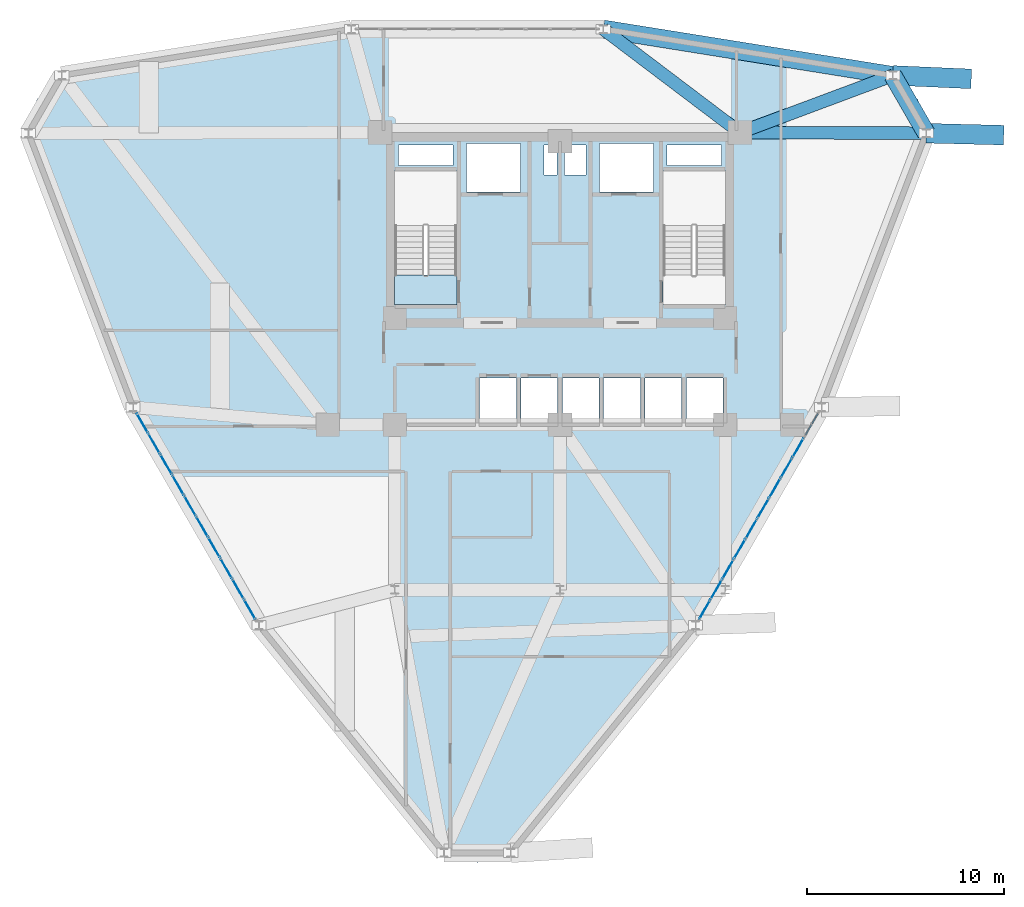
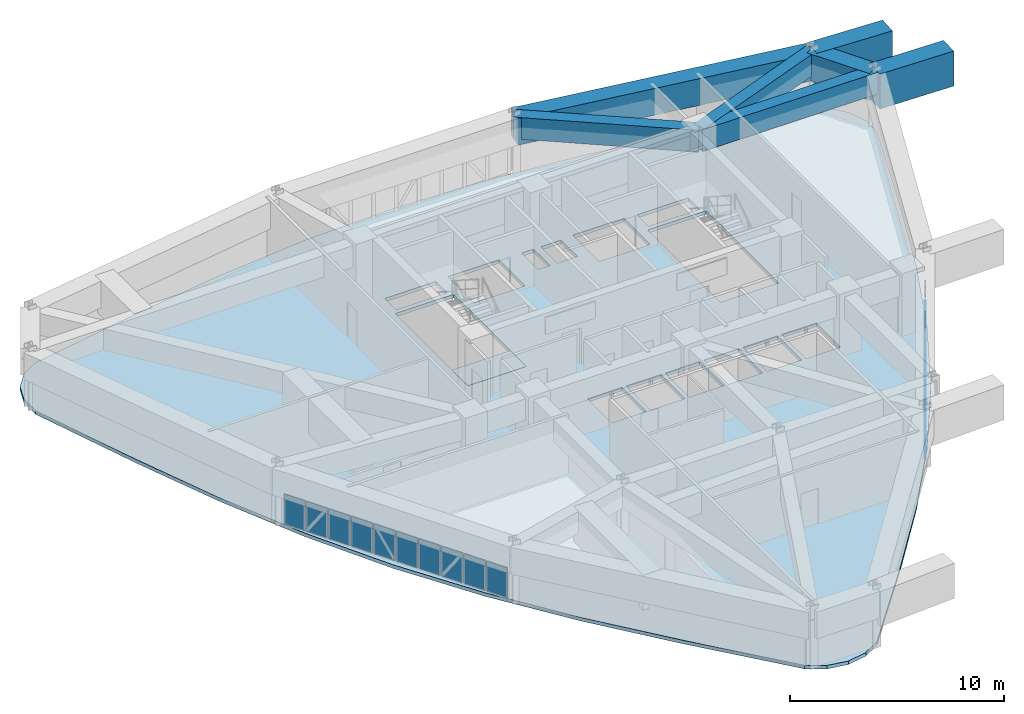
# One storey, part 9 of 15: 19 plates, 7 beams, 4 members, 2 slabs, 3 elements without a shape of their own.
"""IFC4 building model written with IfcOpenShell, lengths in metres."""

from ifc_helpers import new_model, si_unit, derived_unit, direction, frame, origin, origin_2d, place, context, subcontext, project, spatial, polyline, rectangle, hollow_rectangle, outline, extrude, source, transform, mapped, material, layer, layer_set, material_profile, profile_set, type_object, element, aggregate, save


model = new_model("IFC4")

# Units and contexts
model_context = context("Model", 3, precision=1e-05, world=origin(), true_north=direction((0.0, 1.0)))
body_context = subcontext(model_context, "Body", "Model", "MODEL_VIEW")
ifc_project = project(units=[si_unit("LENGTHUNIT", "METRE"), si_unit("AREAUNIT", "SQUARE_METRE"), si_unit("VOLUMEUNIT", "CUBIC_METRE"), si_unit("PLANEANGLEUNIT", "RADIAN"), si_unit("MASSUNIT", "GRAM", prefix="KILO"), derived_unit("THERMALTRANSMITTANCEUNIT", [(si_unit("POWERUNIT", "WATT"), 1), (si_unit("LENGTHUNIT", "METRE"), -2), (si_unit("THERMODYNAMICTEMPERATUREUNIT", "KELVIN"), -1)])], contexts=[model_context])

# Site, building, storey
site_placement = place(None, origin())
site = spatial("IfcSite", under=ifc_project, at=site_placement, CompositionType="ELEMENT")
building_placement = place(site_placement, origin())
building = spatial("IfcBuilding", under=site, at=building_placement, Name="Korsvarv Bourse and Concert Hall", CompositionType="ELEMENT")
storey_placement = place(building_placement, frame((0.0, 0.0, 165.0)))
storey = spatial("IfcBuildingStorey", under=building, at=storey_placement, Name="L42", CompositionType="ELEMENT", Elevation=165.0)

# Beams
ifc_material_1 = material(Name="Concrete C50/60", Category="concrete")
ifc_material_profile_1 = material_profile(ifc_material_1, rectangle(XDim=0.919921875, YDim=1.530029296875, at=origin_2d()), Name="RC-BM 920x1530")
ifc_profile_set_1 = profile_set([ifc_material_profile_1], Name="Concrete C50/60")
beam_type_1 = type_object("IfcBeamType", Name="BM-TR-154", PredefinedType="BEAM", material=ifc_profile_set_1)
shared_shape_1 = source(origin(), body_context, "Body", "SweptSolid", [
    extrude(rectangle(XDim=0.919921875, YDim=1.530029296875, at=origin_2d()), origin(), (0.0, 0.0, 1.0), 3.391357421875),
])
beam_1_placement = place(storey_placement, frame((54.6142578125, 47.2138671875, 2.60498046875), z_axis=(-0.499971721724, 0.866041729639, 0.0), x_axis=(-0.866041729639, -0.499971721724, 0.0)))
element("IfcBeam", 1, at=beam_1_placement, inside=storey, type_object=beam_type_1, Name="L42 beam B-TR6", PredefinedType="BEAM", context=body_context, shape_type="MappedRepresentation", body=[
    mapped(shared_shape_1, transform((0.0, 0.0, 0.0), scale=1.0)),
])
shared_shape_2 = source(origin(), body_context, "Body", "SweptSolid", [
    extrude(rectangle(XDim=0.919921875, YDim=1.530029296875, at=origin_2d()), origin(), (0.0, 0.0, 1.0), 14.90478515625),
])
beam_2_placement = place(storey_placement, frame((52.918701171875, 50.15087890625, 2.60498046875), z_axis=(-0.987420487458, 0.158116352567, 0.0), x_axis=(-0.158116352567, -0.987420487458, 0.0)))
element("IfcBeam", 2, at=beam_2_placement, inside=storey, type_object=beam_type_1, Name="L42 beam B-TR6", PredefinedType="BEAM", context=body_context, shape_type="MappedRepresentation", body=[
    mapped(shared_shape_2, transform((0.0, 0.0, 0.0), scale=1.0)),
])
ifc_material_profile_2 = material_profile(ifc_material_1, rectangle(XDim=0.64990234375, YDim=1.239990234375, at=origin_2d()), Name="RC-BM 650x1240")
ifc_profile_set_2 = profile_set([ifc_material_profile_2], Name="Concrete C50/60")
beam_type_2 = type_object("IfcBeamType", Name="BM-TR-SPN", PredefinedType="BEAM", material=ifc_profile_set_2)
shared_shape_3 = source(origin(), body_context, "Body", "SweptSolid", [
    extrude(rectangle(XDim=0.64990234375, YDim=1.239990234375, at=origin_2d()), origin(), (0.0, 0.0, 1.0), 9.46435546875),
])
beam_3_placement = place(storey_placement, frame((54.6142578125, 47.2138671875, 2.75), z_axis=(-0.999992712363, 0.003817750643, 0.0), x_axis=(-0.003817750643, -0.999992712363, 0.0)))
element("IfcBeam", 3, at=beam_3_placement, inside=storey, type_object=beam_type_2, Name="L42 beam B-TRS", PredefinedType="BEAM", context=body_context, shape_type="MappedRepresentation", body=[
    mapped(shared_shape_3, transform((0.0, 0.0, 0.0), scale=1.0)),
])
shared_shape_4 = source(origin(), body_context, "Body", "SweptSolid", [
    extrude(rectangle(XDim=0.64990234375, YDim=1.239990234375, at=origin_2d()), origin(), (0.0, 0.0, 1.0), 8.292724609375),
])
beam_4_placement = place(storey_placement, frame((52.918701171875, 50.15087890625, 2.75), z_axis=(-0.936820676534, -0.349809977014, 0.0), x_axis=(0.349809977014, -0.936820676534, 0.0)))
element("IfcBeam", 4, at=beam_4_placement, inside=storey, type_object=beam_type_2, Name="L42 beam B-TRS", PredefinedType="BEAM", context=body_context, shape_type="MappedRepresentation", body=[
    mapped(shared_shape_4, transform((0.0, 0.0, 0.0), scale=1.0)),
])
ifc_material_2 = material(Name="Concrete C60/75", Category="concrete")
ifc_material_profile_3 = material_profile(ifc_material_2, rectangle(XDim=1.0, YDim=2.0, at=origin_2d()), Name="RC-BM 1000x2000")
ifc_profile_set_3 = profile_set([ifc_material_profile_3], Name="Concrete C60/75")
beam_type_3 = type_object("IfcBeamType", Name="BM-TR1", PredefinedType="BEAM", material=ifc_profile_set_3)
shared_shape_5 = source(origin(), body_context, "Body", "SweptSolid", [
    extrude(rectangle(XDim=1.0, YDim=2.0, at=origin_2d()), origin(), (0.0, 0.0, 1.0), 3.94091796875),
])
beam_5_placement = place(storey_placement, frame((54.6142578125, 47.2138671875, 2.3701171875), z_axis=(0.999682088612, -0.025213522344, 0.0), x_axis=(0.025213522344, 0.999682088612, 0.0)))
element("IfcBeam", 5, at=beam_5_placement, inside=storey, type_object=beam_type_3, Name="L42 Block-Shift Transfer Girder 1", PredefinedType="BEAM", context=body_context, shape_type="MappedRepresentation", body=[
    mapped(shared_shape_5, transform((0.0, 0.0, 0.0), scale=1.0)),
])
shared_shape_6 = source(origin(), body_context, "Body", "SweptSolid", [
    extrude(rectangle(XDim=0.64990234375, YDim=1.239990234375, at=origin_2d()), origin(), (0.0, 0.0, 1.0), 8.71337890625),
])
beam_6_placement = place(storey_placement, frame((38.201416015625, 52.507568359375, 2.75), z_axis=(0.797447559771, -0.603388257604, 0.0), x_axis=(0.603388257604, 0.797447559771, 0.0)))
element("IfcBeam", 6, at=beam_6_placement, inside=storey, type_object=beam_type_2, Name="L42 beam B-TRS", PredefinedType="BEAM", context=body_context, shape_type="MappedRepresentation", body=[
    mapped(shared_shape_6, transform((0.0, 0.0, 0.0), scale=1.0)),
])
shared_shape_7 = source(origin(), body_context, "Body", "SweptSolid", [
    extrude(rectangle(XDim=1.0, YDim=2.0, at=origin_2d()), origin(), (0.0, 0.0, 1.0), 3.987548828125),
])
beam_7_placement = place(storey_placement, frame((52.918701171875, 50.15087890625, 2.3701171875), z_axis=(0.999027878093, -0.044082862795, 0.0), x_axis=(0.044082862795, 0.999027878093, 0.0)))
element("IfcBeam", 7, at=beam_7_placement, inside=storey, type_object=beam_type_3, Name="L42 Block-Shift Transfer Girder 2", PredefinedType="BEAM", context=body_context, shape_type="MappedRepresentation", body=[
    mapped(shared_shape_7, transform((0.0, 0.0, 0.0), scale=1.0)),
])

# Curtain wall, members
ifc_material_3 = material(Name="Anodised aluminium and triple low-E glazing", Category="glass")
ifc_layer_1 = layer(ifc_material_3, 0.2099609375)
ifc_layer_set_1 = layer_set([ifc_layer_1], Name="Anodised aluminium and triple low-E glazing")
curtain_wall_type = type_object("IfcCurtainWallType", Name="CW-SYS-2", PredefinedType="NOTDEFINED", material=ifc_layer_set_1)
curtain_wall_1_placement = place(storey_placement, origin())
curtain_wall_1 = element("IfcCurtainWall", 8, at=curtain_wall_1_placement, inside=storey, type_object=curtain_wall_type, Name="L42 CW2 curtain wall CW-L42-F11-2", PredefinedType="NOTDEFINED")
ifc_material_4 = material(Name="Extruded aluminium EN AW-6063 T66", Category="aluminium")
ifc_material_profile_4 = material_profile(ifc_material_4, hollow_rectangle(XDim=0.06494140625, YDim=0.139892578125, WallThickness=0.00390625, at=origin_2d()), Name="ALU-T 65x140")
ifc_profile_set_4 = profile_set([ifc_material_profile_4], Name="Extruded aluminium EN AW-6063 T66")
member_type = type_object("IfcMemberType", Name="CWT-140", PredefinedType="USERDEFINED", material=ifc_profile_set_4)
shared_shape_8 = source(origin(), body_context, "Body", "SweptSolid", [
    extrude(hollow_rectangle(XDim=0.06494140625, YDim=0.139892578125, WallThickness=0.00390625, at=origin_2d()), origin(), (0.0, 0.0, 1.0), 0.587158203125),
])
member_1_placement = place(storey_placement, frame((48.485107421875, 31.88427734375, 0.032470703125), z_axis=(0.499806444312, 0.866137124377, 0.0), x_axis=(-0.866137124377, 0.499806444312, 0.0)))
member_1 = element("IfcMember", 9, at=member_1_placement, type_object=member_type, Name="CW2 transom 1.1", ObjectType="TRANSOM", PredefinedType="USERDEFINED", context=body_context, shape_type="MappedRepresentation", body=[
    mapped(shared_shape_8, transform((0.0, 0.0, 0.0), scale=1.0)),
])
member_2_placement = place(storey_placement, frame((48.485107421875, 31.88427734375, 1.8076171875), z_axis=(0.499806444312, 0.866137124377, 0.0), x_axis=(-0.866137124377, 0.499806444312, 0.0)))
member_2 = element("IfcMember", 10, at=member_2_placement, type_object=member_type, Name="CW2 transom 1.2", ObjectType="TRANSOM", PredefinedType="USERDEFINED", context=body_context, shape_type="MappedRepresentation", body=[
    mapped(shared_shape_8, transform((0.0, 0.0, 0.0), scale=1.0)),
])
member_3_placement = place(storey_placement, frame((48.813720703125, 32.453369140625, 0.032470703125), z_axis=(0.499806444312, 0.866137124377, 0.0), x_axis=(-0.866137124377, 0.499806444312, 0.0)))
member_3 = element("IfcMember", 11, at=member_3_placement, type_object=member_type, Name="CW2 transom 2.1", ObjectType="TRANSOM", PredefinedType="USERDEFINED", context=body_context, shape_type="MappedRepresentation", body=[
    mapped(shared_shape_8, transform((0.0, 0.0, 0.0), scale=1.0)),
])
member_4_placement = place(storey_placement, frame((48.813720703125, 32.453369140625, 1.8076171875), z_axis=(0.499806444312, 0.866137124377, 0.0), x_axis=(-0.866137124377, 0.499806444312, 0.0)))
member_4 = element("IfcMember", 12, at=member_4_placement, type_object=member_type, Name="CW2 transom 2.2", ObjectType="TRANSOM", PredefinedType="USERDEFINED", context=body_context, shape_type="MappedRepresentation", body=[
    mapped(shared_shape_8, transform((0.0, 0.0, 0.0), scale=1.0)),
])
aggregate(curtain_wall_1, [member_1, member_2, member_3, member_4])

# Slabs
ifc_material_5 = material(Name="Precast concrete C45/55", Category="concrete")
ifc_layer_2 = layer(ifc_material_5, 0.199951171875)
ifc_layer_set_2 = layer_set([ifc_layer_2], Name="Precast concrete C45/55")
slab_type_1 = type_object("IfcSlabType", Name="SLB-FLND-T", PredefinedType="LANDING", material=ifc_layer_set_2)
slab_1_placement = place(storey_placement, frame((0.0, 0.0, -0.199951171875)))
element("IfcSlab", 13, at=slab_1_placement, inside=storey, type_object=slab_type_1, Name="L42 Stair ST-T1 Floor Landing Slab", PredefinedType="LANDING", context=body_context, shape_type="SweptSolid", body=[
    extrude(outline(polyline([(30.760009765625, 38.5), (30.760009765625, 40.0), (27.60009765625, 40.0), (27.60009765625, 38.5), (30.760009765625, 38.5)])), origin(), (0.0, 0.0, 1.0), 0.199951171875),
])
ifc_material_6 = material(Name="Concrete C45/55", Category="concrete")
ifc_layer_3 = layer(ifc_material_6, 0.199951171875)
ifc_layer_set_3 = layer_set([ifc_layer_3], Name="Concrete C45/55")
slab_type_2 = type_object("IfcSlabType", Name="SLB-TW2", PredefinedType="FLOOR", material=ifc_layer_set_3)
slab_2_placement = place(storey_placement, frame((0.0, 0.0, -0.199951171875)))
element("IfcSlab", 14, at=slab_2_placement, inside=storey, type_object=slab_type_2, Name="L42 tower structural floor slab", PredefinedType="FLOOR", context=body_context, shape_type="SweptSolid", body=[
    extrude(outline(polyline([(54.127197265625, 45.72216796875), (52.434326171875, 41.0146484375), (50.63232421875, 36.395263671875), (48.622314453125, 31.916015625), (46.336669921875, 27.607421875), (43.748046875, 23.473388671875), (40.8740234375, 19.4931640625), (37.7744140625, 15.622802734375), (34.544189453125, 11.802978515625), (34.5419921875, 11.80029296875), (33.760986328125, 10.869873046875), (32.843505859375, 10.340087890625), (31.800048828125, 10.156005859375), (30.756591796875, 10.340087890625), (29.839111328125, 10.869873046875), (29.05810546875, 11.80029296875), (29.055908203125, 11.802978515625), (25.82568359375, 15.622802734375), (22.72607421875, 19.4931640625), (19.851806640625, 23.473388671875), (17.263427734375, 27.607421875), (14.977783203125, 31.916015625), (12.967529296875, 36.395263671875), (11.16552734375, 41.0146484375), (9.47265625, 45.72216796875), (9.471435546875, 45.725341796875), (9.05615234375, 46.86669921875), (9.05615234375, 47.92626953125), (9.41845703125, 48.921875), (10.099609375, 49.733642578125), (11.01708984375, 50.263427734375), (12.21337890625, 50.474365234375), (12.216796875, 50.474853515625), (17.139892578125, 51.362548828125), (22.04150390625, 52.11181640625), (26.925537109375, 52.610595703125), (31.800048828125, 52.785400390625), (36.67431640625, 52.610595703125), (41.558349609375, 52.11181640625), (46.4599609375, 51.362548828125), (51.38330078125, 50.474853515625), (51.38671875, 50.474365234375), (52.5830078125, 50.263427734375), (53.50048828125, 49.733642578125), (54.181396484375, 48.921875), (54.5439453125, 47.92626953125), (54.5439453125, 46.86669921875), (54.12841796875, 45.725341796875), (54.127197265625, 45.72216796875)]), holes=[polyline([(30.760009765625, 38.5), (30.760009765625, 45.300048828125), (27.60009765625, 45.300048828125), (27.60009765625, 38.5), (30.760009765625, 38.5)]), polyline([(44.39990234375, 38.5), (44.39990234375, 45.300048828125), (41.239990234375, 45.300048828125), (41.239990234375, 38.5), (44.39990234375, 38.5)]), polyline([(31.239990234375, 44.219970703125), (34.0, 44.219970703125), (34.0, 46.679931640625), (31.239990234375, 46.679931640625), (31.239990234375, 44.219970703125)]), polyline([(38.0, 44.219970703125), (40.760009765625, 44.219970703125), (40.760009765625, 46.679931640625), (38.0, 46.679931640625), (38.0, 44.219970703125)]), polyline([(31.919921875, 32.52001953125), (33.780029296875, 32.52001953125), (33.780029296875, 34.780029296875), (31.919921875, 34.780029296875), (31.919921875, 32.52001953125)]), polyline([(34.02001953125, 32.52001953125), (35.8798828125, 32.52001953125), (35.8798828125, 34.780029296875), (34.02001953125, 34.780029296875), (34.02001953125, 32.52001953125)]), polyline([(36.1201171875, 32.52001953125), (37.97998046875, 32.52001953125), (37.97998046875, 34.780029296875), (36.1201171875, 34.780029296875), (36.1201171875, 32.52001953125)]), polyline([(38.219970703125, 32.52001953125), (40.080078125, 32.52001953125), (40.080078125, 34.780029296875), (38.219970703125, 34.780029296875), (38.219970703125, 32.52001953125)]), polyline([(40.320068359375, 32.52001953125), (42.179931640625, 32.52001953125), (42.179931640625, 34.780029296875), (40.320068359375, 34.780029296875), (40.320068359375, 32.52001953125)]), polyline([(42.419921875, 32.52001953125), (44.280029296875, 32.52001953125), (44.280029296875, 34.780029296875), (42.419921875, 34.780029296875), (42.419921875, 32.52001953125)]), polyline([(27.800048828125, 45.56005859375), (30.56005859375, 45.56005859375), (30.56005859375, 46.6201171875), (27.800048828125, 46.6201171875), (27.800048828125, 45.56005859375)]), polyline([(41.43994140625, 45.56005859375), (44.199951171875, 45.56005859375), (44.199951171875, 46.6201171875), (41.43994140625, 46.6201171875), (41.43994140625, 45.56005859375)]), polyline([(35.199951171875, 45.080078125), (35.840087890625, 45.080078125), (35.840087890625, 46.6201171875), (35.199951171875, 46.6201171875), (35.199951171875, 45.080078125)]), polyline([(36.239990234375, 45.080078125), (37.320068359375, 45.080078125), (37.320068359375, 46.6201171875), (36.239990234375, 46.6201171875), (36.239990234375, 45.080078125)])]), origin(), (0.0, 0.0, 1.0), 0.199951171875),
])

# Curtain wall, plates
curtain_wall_2_placement = place(storey_placement, origin())
curtain_wall_2 = element("IfcCurtainWall", 15, at=curtain_wall_2_placement, inside=storey, type_object=curtain_wall_type, Name="L42 CW2 curtain wall CW-L42-F07", PredefinedType="NOTDEFINED")
ifc_material_7 = material(Name="Tempered triple insulated low-E architectural glass", Category="glass")
ifc_layer_4 = layer(ifc_material_7, 0.0380859375)
ifc_layer_set_4 = layer_set([ifc_layer_4], Name="Tempered triple insulated low-E architectural glass")
plate_type_1 = type_object("IfcPlateType", Name="CWP-VIS2", PredefinedType="CURTAIN_PANEL", material=ifc_layer_set_4)
shared_shape_9 = source(origin(), body_context, "Body", "SweptSolid", [
    extrude(rectangle(XDim=1.113525390625, YDim=0.0380859375, at=origin_2d()), origin(), (0.0, 0.0, 1.0), 1.7099609375),
])
plate_1_placement = place(storey_placement, frame((14.77099609375, 32.479736328125, 0.06494140625), z_axis=(0.0, 0.0, 1.0), x_axis=(0.500002343759, -0.86602405061, 0.0)))
plate_1 = element("IfcPlate", 16, at=plate_1_placement, type_object=plate_type_1, Name="CW2 faceted panel 1.1", PredefinedType="CURTAIN_PANEL", context=body_context, shape_type="MappedRepresentation", body=[
    mapped(shared_shape_9, transform((0.0, 0.0, 0.0), scale=1.0)),
])
plate_2_placement = place(storey_placement, frame((20.237060546875, 23.0126953125, 0.06494140625), z_axis=(0.0, 0.0, 1.0), x_axis=(0.500002343759, -0.86602405061, 0.0)))
plate_2 = element("IfcPlate", 17, at=plate_2_placement, type_object=plate_type_1, Name="CW2 faceted panel 10.1", PredefinedType="CURTAIN_PANEL", context=body_context, shape_type="MappedRepresentation", body=[
    mapped(shared_shape_9, transform((0.0, 0.0, 0.0), scale=1.0)),
])
ifc_material_8 = material(Name="Insulated spandrel glass", Category="glass")
ifc_layer_5 = layer(ifc_material_8, 0.031982421875)
ifc_layer_set_5 = layer_set([ifc_layer_5], Name="Insulated spandrel glass")
plate_type_2 = type_object("IfcPlateType", Name="CWP-SPD1", PredefinedType="CURTAIN_PANEL", material=ifc_layer_set_5)
shared_shape_10 = source(origin(), body_context, "Body", "SweptSolid", [
    extrude(rectangle(XDim=1.1484375, YDim=0.031982421875, at=origin_2d()), origin(), (0.0, 0.0, 1.0), 1.7099609375),
])
plate_3_placement = place(storey_placement, frame((15.37158203125, 31.439697265625, 0.06494140625), z_axis=(0.0, 0.0, 1.0), x_axis=(0.500002343759, -0.86602405061, 0.0)))
plate_3 = element("IfcPlate", 18, at=plate_3_placement, type_object=plate_type_2, Name="CW2 spandrel shadow-box panel 2.1", PredefinedType="CURTAIN_PANEL", context=body_context, shape_type="MappedRepresentation", body=[
    mapped(shared_shape_10, transform((0.0, 0.0, 0.0), scale=1.0)),
])
plate_4_placement = place(storey_placement, frame((17.199462890625, 28.27392578125, 0.06494140625), z_axis=(0.0, 0.0, 1.0), x_axis=(0.500002343759, -0.86602405061, 0.0)))
plate_4 = element("IfcPlate", 19, at=plate_4_placement, type_object=plate_type_2, Name="CW2 spandrel shadow-box panel 5.1", PredefinedType="CURTAIN_PANEL", context=body_context, shape_type="MappedRepresentation", body=[
    mapped(shared_shape_10, transform((0.0, 0.0, 0.0), scale=1.0)),
])
plate_5_placement = place(storey_placement, frame((19.02734375, 25.10791015625, 0.06494140625), z_axis=(0.0, 0.0, 1.0), x_axis=(0.500002343759, -0.86602405061, 0.0)))
plate_5 = element("IfcPlate", 20, at=plate_5_placement, type_object=plate_type_2, Name="CW2 spandrel shadow-box panel 8.1", PredefinedType="CURTAIN_PANEL", context=body_context, shape_type="MappedRepresentation", body=[
    mapped(shared_shape_10, transform((0.0, 0.0, 0.0), scale=1.0)),
])
shared_shape_11 = source(origin(), body_context, "Body", "SweptSolid", [
    extrude(rectangle(XDim=1.1484375, YDim=0.0380859375, at=origin_2d()), origin(), (0.0, 0.0, 1.0), 1.7099609375),
])
plate_6_placement = place(storey_placement, frame((15.98095703125, 30.384521484375, 0.06494140625), z_axis=(0.0, 0.0, 1.0), x_axis=(0.500002343759, -0.86602405061, 0.0)))
plate_6 = element("IfcPlate", 21, at=plate_6_placement, type_object=plate_type_1, Name="CW2 faceted panel 3.1", PredefinedType="CURTAIN_PANEL", context=body_context, shape_type="MappedRepresentation", body=[
    mapped(shared_shape_11, transform((0.0, 0.0, 0.0), scale=1.0)),
])
plate_7_placement = place(storey_placement, frame((16.590087890625, 29.3291015625, 0.06494140625), z_axis=(0.0, 0.0, 1.0), x_axis=(0.500002343759, -0.86602405061, 0.0)))
plate_7 = element("IfcPlate", 22, at=plate_7_placement, type_object=plate_type_1, Name="CW2 faceted panel 4.1", PredefinedType="CURTAIN_PANEL", context=body_context, shape_type="MappedRepresentation", body=[
    mapped(shared_shape_11, transform((0.0, 0.0, 0.0), scale=1.0)),
])
plate_8_placement = place(storey_placement, frame((17.80859375, 27.218505859375, 0.06494140625), z_axis=(0.0, 0.0, 1.0), x_axis=(0.500002343759, -0.86602405061, 0.0)))
plate_8 = element("IfcPlate", 23, at=plate_8_placement, type_object=plate_type_1, Name="CW2 faceted panel 6.1", PredefinedType="CURTAIN_PANEL", context=body_context, shape_type="MappedRepresentation", body=[
    mapped(shared_shape_11, transform((0.0, 0.0, 0.0), scale=1.0)),
])
plate_9_placement = place(storey_placement, frame((18.41796875, 26.163330078125, 0.06494140625), z_axis=(0.0, 0.0, 1.0), x_axis=(0.500002343759, -0.86602405061, 0.0)))
plate_9 = element("IfcPlate", 24, at=plate_9_placement, type_object=plate_type_1, Name="CW2 faceted panel 7.1", PredefinedType="CURTAIN_PANEL", context=body_context, shape_type="MappedRepresentation", body=[
    mapped(shared_shape_11, transform((0.0, 0.0, 0.0), scale=1.0)),
])
plate_10_placement = place(storey_placement, frame((19.636474609375, 24.052734375, 0.06494140625), z_axis=(0.0, 0.0, 1.0), x_axis=(0.500002343759, -0.86602405061, 0.0)))
plate_10 = element("IfcPlate", 25, at=plate_10_placement, type_object=plate_type_1, Name="CW2 faceted panel 9.1", PredefinedType="CURTAIN_PANEL", context=body_context, shape_type="MappedRepresentation", body=[
    mapped(shared_shape_11, transform((0.0, 0.0, 0.0), scale=1.0)),
])
aggregate(curtain_wall_2, [plate_1, plate_3, plate_6, plate_7, plate_4, plate_8, plate_9, plate_5, plate_10, plate_2])

curtain_wall_3_placement = place(storey_placement, origin())
curtain_wall_3 = element("IfcCurtainWall", 26, at=curtain_wall_3_placement, inside=storey, type_object=curtain_wall_type, Name="L42 CW2 curtain wall CW-L42-F11-1", PredefinedType="NOTDEFINED")
shared_shape_12 = source(origin(), body_context, "Body", "SweptSolid", [
    extrude(rectangle(XDim=1.085693359375, YDim=0.0380859375, at=origin_2d()), origin(), (0.0, 0.0, 1.0), 1.7099609375),
])
plate_11_placement = place(storey_placement, frame((43.35595703125, 23.00048828125, 0.06494140625), z_axis=(0.0, 0.0, 1.0), x_axis=(0.499998182496, 0.866026453118, 0.0)))
plate_11 = element("IfcPlate", 27, at=plate_11_placement, type_object=plate_type_1, Name="CW2 faceted panel 1.1", PredefinedType="CURTAIN_PANEL", context=body_context, shape_type="MappedRepresentation", body=[
    mapped(shared_shape_12, transform((0.0, 0.0, 0.0), scale=1.0)),
])
plate_12_placement = place(storey_placement, frame((48.10107421875, 31.21923828125, 0.06494140625), z_axis=(0.0, 0.0, 1.0), x_axis=(0.499998182496, 0.866026453118, 0.0)))
plate_12 = element("IfcPlate", 28, at=plate_12_placement, type_object=plate_type_1, Name="CW2 faceted panel 9.1", PredefinedType="CURTAIN_PANEL", context=body_context, shape_type="MappedRepresentation", body=[
    mapped(shared_shape_12, transform((0.0, 0.0, 0.0), scale=1.0)),
])
shared_shape_13 = source(origin(), body_context, "Body", "SweptSolid", [
    extrude(rectangle(XDim=1.12060546875, YDim=0.031982421875, at=origin_2d()), origin(), (0.0, 0.0, 1.0), 1.7099609375),
])
plate_13_placement = place(storey_placement, frame((43.942626953125, 24.0166015625, 0.06494140625), z_axis=(0.0, 0.0, 1.0), x_axis=(0.499998182496, 0.866026453118, 0.0)))
plate_13 = element("IfcPlate", 29, at=plate_13_placement, type_object=plate_type_2, Name="CW2 spandrel shadow-box panel 2.1", PredefinedType="CURTAIN_PANEL", context=body_context, shape_type="MappedRepresentation", body=[
    mapped(shared_shape_13, transform((0.0, 0.0, 0.0), scale=1.0)),
])
plate_14_placement = place(storey_placement, frame((45.728515625, 27.10986328125, 0.06494140625), z_axis=(0.0, 0.0, 1.0), x_axis=(0.499998182496, 0.866026453118, 0.0)))
plate_14 = element("IfcPlate", 30, at=plate_14_placement, type_object=plate_type_2, Name="CW2 spandrel shadow-box panel 5.1", PredefinedType="CURTAIN_PANEL", context=body_context, shape_type="MappedRepresentation", body=[
    mapped(shared_shape_13, transform((0.0, 0.0, 0.0), scale=1.0)),
])
plate_15_placement = place(storey_placement, frame((47.514404296875, 30.203369140625, 0.06494140625), z_axis=(0.0, 0.0, 1.0), x_axis=(0.499998182496, 0.866026453118, 0.0)))
plate_15 = element("IfcPlate", 31, at=plate_15_placement, type_object=plate_type_2, Name="CW2 spandrel shadow-box panel 8.1", PredefinedType="CURTAIN_PANEL", context=body_context, shape_type="MappedRepresentation", body=[
    mapped(shared_shape_13, transform((0.0, 0.0, 0.0), scale=1.0)),
])
shared_shape_14 = source(origin(), body_context, "Body", "SweptSolid", [
    extrude(rectangle(XDim=1.12060546875, YDim=0.0380859375, at=origin_2d()), origin(), (0.0, 0.0, 1.0), 1.7099609375),
])
plate_16_placement = place(storey_placement, frame((44.537841796875, 25.047607421875, 0.06494140625), z_axis=(0.0, 0.0, 1.0), x_axis=(0.499998182496, 0.866026453118, 0.0)))
plate_16 = element("IfcPlate", 32, at=plate_16_placement, type_object=plate_type_1, Name="CW2 faceted panel 3.1", PredefinedType="CURTAIN_PANEL", context=body_context, shape_type="MappedRepresentation", body=[
    mapped(shared_shape_14, transform((0.0, 0.0, 0.0), scale=1.0)),
])
plate_17_placement = place(storey_placement, frame((45.13330078125, 26.078857421875, 0.06494140625), z_axis=(0.0, 0.0, 1.0), x_axis=(0.499998182496, 0.866026453118, 0.0)))
plate_17 = element("IfcPlate", 33, at=plate_17_placement, type_object=plate_type_1, Name="CW2 faceted panel 4.1", PredefinedType="CURTAIN_PANEL", context=body_context, shape_type="MappedRepresentation", body=[
    mapped(shared_shape_14, transform((0.0, 0.0, 0.0), scale=1.0)),
])
plate_18_placement = place(storey_placement, frame((46.323974609375, 28.14111328125, 0.06494140625), z_axis=(0.0, 0.0, 1.0), x_axis=(0.499998182496, 0.866026453118, 0.0)))
plate_18 = element("IfcPlate", 34, at=plate_18_placement, type_object=plate_type_1, Name="CW2 faceted panel 6.1", PredefinedType="CURTAIN_PANEL", context=body_context, shape_type="MappedRepresentation", body=[
    mapped(shared_shape_14, transform((0.0, 0.0, 0.0), scale=1.0)),
])
plate_19_placement = place(storey_placement, frame((46.919189453125, 29.172119140625, 0.06494140625), z_axis=(0.0, 0.0, 1.0), x_axis=(0.499998182496, 0.866026453118, 0.0)))
plate_19 = element("IfcPlate", 35, at=plate_19_placement, type_object=plate_type_1, Name="CW2 faceted panel 7.1", PredefinedType="CURTAIN_PANEL", context=body_context, shape_type="MappedRepresentation", body=[
    mapped(shared_shape_14, transform((0.0, 0.0, 0.0), scale=1.0)),
])
aggregate(curtain_wall_3, [plate_11, plate_13, plate_16, plate_17, plate_14, plate_18, plate_19, plate_15, plate_12])

save(model, "model.ifc")
